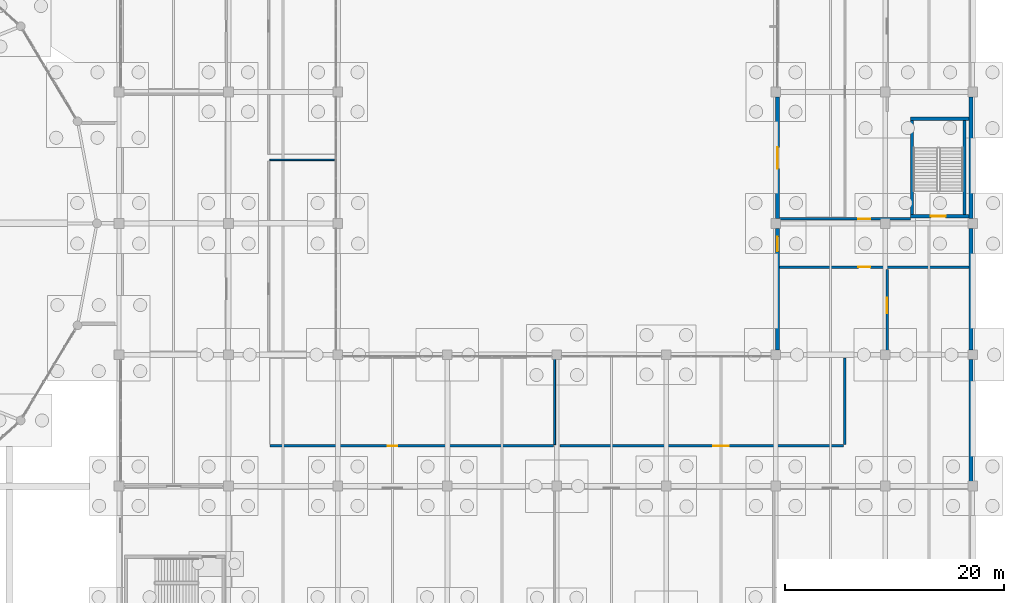
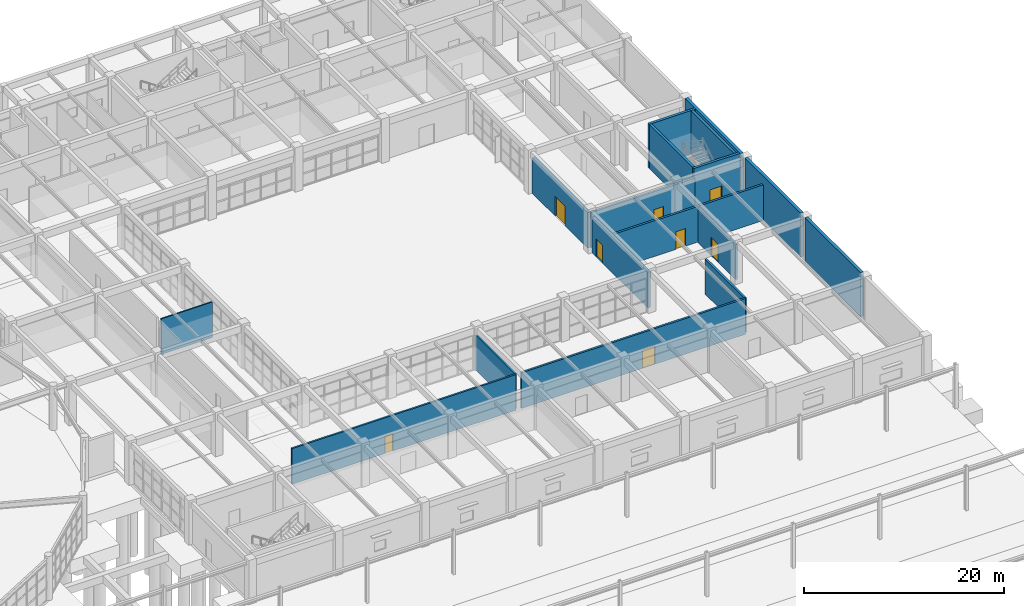
# One storey, part 81 of 99: 17 walls, 8 doors, 8 openings.
"""IFC4 building model written with IfcOpenShell, lengths in metres."""

from ifc_helpers import new_model, si_unit, direction, frame, frame_2d, origin, place, context, subcontext, project, spatial, rectangle, extrude, material, layer, layer_set, type_object, element, fill, save


model = new_model("IFC4")

# Units and contexts
model_context = context("Model", 3, precision=1e-05, world=origin(), true_north=direction((0.0, 1.0)))
body_context = subcontext(model_context, "Body", "Model", "MODEL_VIEW")
ifc_project = project(units=[si_unit("LENGTHUNIT", "METRE"), si_unit("AREAUNIT", "SQUARE_METRE"), si_unit("VOLUMEUNIT", "CUBIC_METRE"), si_unit("PLANEANGLEUNIT", "RADIAN"), si_unit("MASSUNIT", "GRAM", prefix="KILO")], contexts=[model_context])

# Site, building, storey
site_placement = place(None, origin())
site = spatial("IfcSite", under=ifc_project, at=site_placement, CompositionType="ELEMENT")
building_placement = place(site_placement, origin())
building = spatial("IfcBuilding", under=site, at=building_placement, Name="Kivolera Central Railway Station", CompositionType="ELEMENT")
storey_placement = place(building_placement, origin())
storey = spatial("IfcBuildingStorey", under=building, at=storey_placement, Name="L00", CompositionType="ELEMENT", Elevation=0.0)

# Wall, opening, door
ifc_material_1 = material(Name="Concrete C40/50", Category="concrete")
ifc_layer_1 = layer(ifc_material_1, 0.22998046875, Name="Concrete C40/50")
ifc_layer_set_1 = layer_set([ifc_layer_1], Name="Concrete C40/50")
wall_type_1 = type_object("IfcWallType", Name="WL-COMP-230", PredefinedType="PARTITIONING", material=ifc_layer_set_1)
wall_1_placement = place(storey_placement, frame((188.179931640625, 78.300048828125, 0.0), z_axis=(0.0, 0.0, 1.0), x_axis=(0.0, 1.0, 0.0)))
wall_1 = element("IfcWall", 1, at=wall_1_placement, inside=storey, type_object=wall_type_1, Name="L00 Sprinkler and Rainwater Pump Plant Room Corridor Wall", PredefinedType="PARTITIONING", context=body_context, shape_type="SweptSolid", body=[
    extrude(rectangle(XDim=7.5, YDim=0.22998046875, at=frame_2d((3.75, 0.0))), origin(), (0.0, 0.0, 1.0), 4.258056640625),
])
opening_1_placement = place(wall_1_placement, frame((3.5, 0.0, 0.0)))
opening_1 = element("IfcOpeningElement", 2, at=opening_1_placement, cuts=wall_1, Name="Opening D-PLT-1400", PredefinedType="OPENING", context=body_context, shape_type="SweptSolid", body=[
    extrude(rectangle(XDim=1.39990234375, YDim=2.199951171875, at=frame_2d((0.699951171875, 1.10009765625))), frame((0.0, 0.125, 0.0), z_axis=(0.0, -1.0, 0.0), x_axis=(1.0, 0.0, 0.0)), (0.0, 0.0, 1.0), 0.25),
])
ifc_material_2 = material(Name="Anodised aluminium", Category="aluminium")
door_type_1 = type_object("IfcDoorType", Name="DR-D-PLT-1400", OperationType="NOTDEFINED", PredefinedType="DOOR", material=ifc_material_2)
door_1_placement = place(opening_1_placement, origin())
door_1 = element("IfcDoor", 3, at=door_1_placement, inside=storey, type_object=door_type_1, Name="L00 Sprinkler and Rainwater Pump Plant Room Door", OperationType="SINGLE_SWING_RIGHT", OverallHeight=2.199951171875, OverallWidth=1.39990234375, PredefinedType="DOOR", context=body_context, shape_type="SweptSolid", body=[
    extrude(rectangle(XDim=1.39990234375, YDim=2.199951171875, at=frame_2d((0.699951171875, 1.10009765625))), frame((0.0, 0.02490234375, 0.0), z_axis=(0.0, -1.0, 0.0), x_axis=(1.0, 0.0, 0.0)), (0.0, 0.0, 1.0), 0.050048828125),
])
fill(opening_1, door_1)

wall_2_placement = place(storey_placement, frame((158.300048828125, 69.679931640625, 0.0), z_axis=(0.0, 0.0, 1.0), x_axis=(1.0, 0.0, 0.0)))
wall_2 = element("IfcWall", 4, at=wall_2_placement, inside=storey, type_object=wall_type_1, Name="L00 Station Maintenance Store Corridor Wall", PredefinedType="PARTITIONING", context=body_context, shape_type="SweptSolid", body=[
    extrude(rectangle(XDim=25.89990234375, YDim=0.22998046875, at=frame_2d((12.949951171875, 0.0))), origin(), (0.0, 0.0, 1.0), 4.35791015625),
])
opening_2_placement = place(wall_2_placement, frame((14.0, 0.0, 0.0)))
opening_2 = element("IfcOpeningElement", 5, at=opening_2_placement, cuts=wall_2, Name="Opening D-PLT-1400", PredefinedType="OPENING", context=body_context, shape_type="SweptSolid", body=[
    extrude(rectangle(XDim=1.39990234375, YDim=2.199951171875, at=frame_2d((0.699951171875, 1.10009765625))), frame((0.0, 0.125, 0.0), z_axis=(0.0, -1.0, 0.0), x_axis=(1.0, 0.0, 0.0)), (0.0, 0.0, 1.0), 0.25),
])
door_2_placement = place(opening_2_placement, origin())
door_2 = element("IfcDoor", 6, at=door_2_placement, inside=storey, type_object=door_type_1, Name="L00 Station Maintenance Store Door", OperationType="SINGLE_SWING_RIGHT", OverallHeight=2.199951171875, OverallWidth=1.39990234375, PredefinedType="DOOR", context=body_context, shape_type="SweptSolid", body=[
    extrude(rectangle(XDim=1.39990234375, YDim=2.199951171875, at=frame_2d((0.699951171875, 1.10009765625))), frame((0.0, 0.02490234375, 0.0), z_axis=(0.0, -1.0, 0.0), x_axis=(1.0, 0.0, 0.0)), (0.0, 0.0, 1.0), 0.050048828125),
])
fill(opening_2, door_2)

# Wall
wall_3_placement = place(storey_placement, frame((184.300048828125, 69.800048828125, 0.0), z_axis=(0.0, 0.0, 1.0), x_axis=(0.0, 1.0, 0.0)))
element("IfcWall", 7, at=wall_3_placement, inside=storey, type_object=wall_type_1, Name="L00 Station Maintenance Store Partition Wall", PredefinedType="PARTITIONING", context=body_context, shape_type="SweptSolid", body=[
    extrude(rectangle(XDim=7.89990234375, YDim=0.22998046875, at=frame_2d((3.949951171875, 0.0))), origin(), (0.0, 0.0, 1.0), 4.258056640625),
])

# Wall, opening, door
ifc_material_3 = material(Name="Swahili coral limestone", Category="masonry")
ifc_layer_2 = layer(ifc_material_3, 0.199951171875, Name="Swahili coral limestone")
ifc_layer_set_2 = layer_set([ifc_layer_2], Name="Swahili coral limestone")
wall_type_2 = type_object("IfcWallType", Name="WL-COR-200", PredefinedType="PARTITIONING", material=ifc_layer_set_2)
wall_4_placement = place(storey_placement, frame((131.800048828125, 69.679931640625, 0.0), z_axis=(0.0, 0.0, 1.0), x_axis=(1.0, 0.0, 0.0)))
wall_4 = element("IfcWall", 8, at=wall_4_placement, inside=storey, type_object=wall_type_2, Name="L00 Parcel Customer Reception Lounge Corridor Wall", PredefinedType="PARTITIONING", context=body_context, shape_type="SweptSolid", body=[
    extrude(rectangle(XDim=25.89990234375, YDim=0.199951171875, at=frame_2d((12.949951171875, 0.0))), origin(), (0.0, 0.0, 1.0), 4.35791015625),
])
opening_3_placement = place(wall_4_placement, frame((10.75, 0.0, 0.0)))
opening_3 = element("IfcOpeningElement", 9, at=opening_3_placement, cuts=wall_4, Name="Opening D-SG-01", PredefinedType="OPENING", context=body_context, shape_type="SweptSolid", body=[
    extrude(rectangle(XDim=0.89990234375, YDim=2.10009765625, at=frame_2d((0.449951171875, 1.050048828125))), frame((0.0, 0.10986328125, 0.0), z_axis=(0.0, -1.0, 0.0), x_axis=(1.0, 0.0, 0.0)), (0.0, 0.0, 1.0), 0.219970703125),
])
ifc_material_4 = material(Name="Hardwood mvule timber", Category="wood")
door_type_2 = type_object("IfcDoorType", Name="DR-D-SG-01", OperationType="NOTDEFINED", PredefinedType="DOOR", material=ifc_material_4)
door_3_placement = place(opening_3_placement, origin())
door_3 = element("IfcDoor", 10, at=door_3_placement, inside=storey, type_object=door_type_2, Name="L00 Parcel Customer Reception Lounge Door", OperationType="SINGLE_SWING_LEFT", OverallHeight=2.10009765625, OverallWidth=0.89990234375, PredefinedType="DOOR", context=body_context, shape_type="SweptSolid", body=[
    extrude(rectangle(XDim=0.89990234375, YDim=2.10009765625, at=frame_2d((0.449951171875, 1.050048828125))), frame((0.0, 0.02490234375, 0.0), z_axis=(0.0, -1.0, 0.0), x_axis=(1.0, 0.0, 0.0)), (0.0, 0.0, 1.0), 0.050048828125),
])
fill(opening_3, door_3)

# Walls
ifc_layer_3 = layer(ifc_material_1, 0.300048828125, Name="Concrete C40/50")
ifc_layer_set_3 = layer_set([ifc_layer_3], Name="Concrete C40/50")
wall_type_3 = type_object("IfcWallType", Name="WL-CORE-300", PredefinedType="SHEAR", material=ifc_layer_set_3)
for number, where, z_axis, x_axis, name in (
    (11, (190.449951171875, 90.800048828125, 0.0), (0.0, 0.0, 1.0), (0.0, 1.0, 0.0), "L00 ST11 Core Right Shear Wall"),
    (12, (195.25, 99.39990234375, 0.0), (0.0, 0.0, 1.0), (0.0, -1.0, 0.0), "L00 ST11 Core Left Shear Wall"),
):
    element("IfcWall", number, at=place(storey_placement, frame(where, z_axis=z_axis, x_axis=x_axis)), inside=storey, type_object=wall_type_3, Name=name, PredefinedType="SHEAR", context=body_context, shape_type="SweptSolid", body=[
        extrude(rectangle(XDim=8.599853515625, YDim=0.300048828125, at=frame_2d((4.2998046875, 0.0))), origin(), (0.0, 0.0, 1.0), 5.39990234375),
    ])

# Wall, opening, door
wall_5_placement = place(storey_placement, frame((195.64990234375, 90.64990234375, 0.0), z_axis=(0.0, 0.0, 1.0), x_axis=(-1.0, 0.0, 0.0)))
wall_5 = element("IfcWall", 13, at=wall_5_placement, inside=storey, type_object=wall_type_3, Name="L00 ST11 Core Near Shear Wall", PredefinedType="SHEAR", context=body_context, shape_type="SweptSolid", body=[
    extrude(rectangle(XDim=5.349853515625, YDim=0.300048828125, at=frame_2d((2.6748046875, 0.0))), origin(), (0.0, 0.0, 1.0), 5.39990234375),
])
opening_4_placement = place(wall_5_placement, frame((2.125, 0.0, 0.0)))
opening_4 = element("IfcOpeningElement", 14, at=opening_4_placement, cuts=wall_5, Name="Opening D-STAIR-1350", PredefinedType="OPENING", context=body_context, shape_type="SweptSolid", body=[
    extrude(rectangle(XDim=1.35009765625, YDim=2.14990234375, at=frame_2d((0.675048828125, 1.074951171875))), frame((0.0, 0.159912109375, 0.0), z_axis=(0.0, -1.0, 0.0), x_axis=(1.0, 0.0, 0.0)), (0.0, 0.0, 1.0), 0.320068359375),
])
door_type_3 = type_object("IfcDoorType", Name="DR-D-STAIR-1350", OperationType="NOTDEFINED", PredefinedType="DOOR", material=ifc_material_4)
door_4_placement = place(opening_4_placement, origin())
door_4 = element("IfcDoor", 15, at=door_4_placement, inside=storey, type_object=door_type_3, Name="L00 ST11 Concourse/Platform Stair Fire Door", OperationType="SINGLE_SWING_LEFT", OverallHeight=2.14990234375, OverallWidth=1.35009765625, PredefinedType="DOOR", context=body_context, shape_type="SweptSolid", body=[
    extrude(rectangle(XDim=1.35009765625, YDim=2.14990234375, at=frame_2d((0.675048828125, 1.074951171875))), frame((0.0, 0.02490234375, 0.0), z_axis=(0.0, -1.0, 0.0), x_axis=(1.0, 0.0, 0.0)), (0.0, 0.0, 1.0), 0.050048828125),
])
fill(opening_4, door_4)

# Wall
wall_6_placement = place(storey_placement, frame((190.300048828125, 99.550048828125, 0.0), z_axis=(0.0, 0.0, 1.0), x_axis=(1.0, 0.0, 0.0)))
element("IfcWall", 16, at=wall_6_placement, inside=storey, type_object=wall_type_3, Name="L00 ST11 Core Far Shear Wall", PredefinedType="SHEAR", context=body_context, shape_type="SweptSolid", body=[
    extrude(rectangle(XDim=5.349853515625, YDim=0.300048828125, at=frame_2d((2.6748046875, 0.0))), origin(), (0.0, 0.0, 1.0), 5.39990234375),
])

# Wall, opening, door
ifc_layer_4 = layer(ifc_material_3, 0.340087890625, Name="Swahili coral limestone")
ifc_layer_set_4 = layer_set([ifc_layer_4], Name="Swahili coral limestone")
wall_type_4 = type_object("IfcWallType", Name="WL-EXT-PLINTH-340", PredefinedType="SOLIDWALL", material=ifc_layer_set_4)
wall_7_placement = place(storey_placement, frame((178.169921875, 78.445068359375, 0.0), z_axis=(0.0, 0.0, 1.0), x_axis=(0.0, 1.0, 0.0)))
wall_7 = element("IfcWall", 17, at=wall_7_placement, inside=storey, type_object=wall_type_4, Name="L00 Monsoon Court East Stair ST11 Exit Wall", PredefinedType="SOLIDWALL", context=body_context, shape_type="SweptSolid", body=[
    extrude(rectangle(XDim=11.10986328125, YDim=0.340087890625, at=frame_2d((5.554931640625, 0.0))), origin(), (0.0, 0.0, 1.0), 4.35791015625),
])
opening_5_placement = place(wall_7_placement, frame((9.0048828125, 0.0, 0.0)))
opening_5 = element("IfcOpeningElement", 18, at=opening_5_placement, cuts=wall_7, Name="Opening ED-FD60-1350", PredefinedType="OPENING", context=body_context, shape_type="SweptSolid", body=[
    extrude(rectangle(XDim=1.35009765625, YDim=2.199951171875, at=frame_2d((0.675048828125, 1.10009765625))), frame((0.0, 0.179931640625, 0.0), z_axis=(0.0, -1.0, 0.0), x_axis=(1.0, 0.0, 0.0)), (0.0, 0.0, 1.0), 0.360107421875),
])
door_type_4 = type_object("IfcDoorType", Name="DR-ED-FD60-1350", OperationType="NOTDEFINED", PredefinedType="DOOR", material=ifc_material_2)
door_5_placement = place(opening_5_placement, origin())
door_5 = element("IfcDoor", 19, at=door_5_placement, inside=storey, type_object=door_type_4, Name="Stair ST11 Protected Court Exit Door ED-34", OperationType="SINGLE_SWING_RIGHT", OverallHeight=2.199951171875, OverallWidth=1.35009765625, PredefinedType="DOOR", context=body_context, shape_type="SweptSolid", body=[
    extrude(rectangle(XDim=1.35009765625, YDim=2.199951171875, at=frame_2d((0.675048828125, 1.10009765625))), frame((0.0, 0.02490234375, 0.0), z_axis=(0.0, -1.0, 0.0), x_axis=(1.0, 0.0, 0.0)), (0.0, 0.0, 1.0), 0.050048828125),
])
fill(opening_5, door_5)

wall_8_placement = place(storey_placement, frame((178.169921875, 90.445068359375, 0.0), z_axis=(0.0, 0.0, 1.0), x_axis=(0.0, 1.0, 0.0)))
wall_8 = element("IfcWall", 20, at=wall_8_placement, inside=storey, type_object=wall_type_4, Name="L00 Monsoon Court East Shopfront Wall", PredefinedType="SOLIDWALL", context=body_context, shape_type="SweptSolid", body=[
    extrude(rectangle(XDim=11.10986328125, YDim=0.340087890625, at=frame_2d((5.554931640625, 0.0))), origin(), (0.0, 0.0, 1.0), 4.35791015625),
])
opening_6_placement = place(wall_8_placement, frame((4.554931640625, 0.0, 0.0)))
opening_6 = element("IfcOpeningElement", 21, at=opening_6_placement, cuts=wall_8, Name="Opening ED-1950", PredefinedType="OPENING", context=body_context, shape_type="SweptSolid", body=[
    extrude(rectangle(XDim=1.949951171875, YDim=2.39990234375, at=frame_2d((0.97509765625, 1.199951171875))), frame((0.0, 0.179931640625, 0.0), z_axis=(0.0, -1.0, 0.0), x_axis=(1.0, 0.0, 0.0)), (0.0, 0.0, 1.0), 0.360107421875),
])
door_type_5 = type_object("IfcDoorType", Name="DR-ED-1950", OperationType="NOTDEFINED", PredefinedType="DOOR", material=ifc_material_2)
door_6_placement = place(opening_6_placement, origin())
door_6 = element("IfcDoor", 22, at=door_6_placement, inside=storey, type_object=door_type_5, Name="Monsoon Court East Shop Door ED-35", OperationType="DOUBLE_DOOR_SINGLE_SWING", OverallHeight=2.39990234375, OverallWidth=1.949951171875, PredefinedType="DOOR", context=body_context, shape_type="SweptSolid", body=[
    extrude(rectangle(XDim=1.949951171875, YDim=2.39990234375, at=frame_2d((0.97509765625, 1.199951171875))), frame((0.0, 0.02490234375, 0.0), z_axis=(0.0, -1.0, 0.0), x_axis=(1.0, 0.0, 0.0)), (0.0, 0.0, 1.0), 0.050048828125),
])
fill(opening_6, door_6)

ifc_layer_5 = layer(ifc_material_1, 0.25, Name="Concrete C40/50")
ifc_layer_set_5 = layer_set([ifc_layer_5], Name="Concrete C40/50")
wall_type_5 = type_object("IfcWallType", Name="WL-FFL-250", PredefinedType="PARTITIONING", material=ifc_layer_set_5)
wall_9_placement = place(storey_placement, frame((178.340087890625, 90.419921875, 0.0), z_axis=(0.0, 0.0, 1.0), x_axis=(1.0, 0.0, 0.0)))
wall_9 = element("IfcWall", 23, at=wall_9_placement, inside=storey, type_object=wall_type_5, Name="L00 ST11 Protected Exit Passage North Wall", PredefinedType="PARTITIONING", context=body_context, shape_type="SweptSolid", body=[
    extrude(rectangle(XDim=11.9599609375, YDim=0.25, at=frame_2d((5.97998046875, 0.0))), origin(), (0.0, 0.0, 1.0), 4.35791015625),
])
opening_7_placement = place(wall_9_placement, frame((7.2099609375, 0.0, 0.0)))
opening_7 = element("IfcOpeningElement", 24, at=opening_7_placement, cuts=wall_9, Name="Opening D-FFL-1100", PredefinedType="OPENING", context=body_context, shape_type="SweptSolid", body=[
    extrude(rectangle(XDim=1.10009765625, YDim=2.14990234375, at=frame_2d((0.550048828125, 1.074951171875))), frame((0.0, 0.135009765625, 0.0), z_axis=(0.0, -1.0, 0.0), x_axis=(1.0, 0.0, 0.0)), (0.0, 0.0, 1.0), 0.27001953125),
])
door_type_6 = type_object("IfcDoorType", Name="DR-D-FFL-1100", OperationType="NOTDEFINED", PredefinedType="DOOR", material=ifc_material_4)
door_7_placement = place(opening_7_placement, origin())
door_7 = element("IfcDoor", 25, at=door_7_placement, inside=storey, type_object=door_type_6, Name="L00 ST11 Exit Passage North Corridor Fire Door", OperationType="SINGLE_SWING_LEFT", OverallHeight=2.14990234375, OverallWidth=1.10009765625, PredefinedType="DOOR", context=body_context, shape_type="SweptSolid", body=[
    extrude(rectangle(XDim=1.10009765625, YDim=2.14990234375, at=frame_2d((0.550048828125, 1.074951171875))), frame((0.0, 0.02490234375, 0.0), z_axis=(0.0, -1.0, 0.0), x_axis=(1.0, 0.0, 0.0)), (0.0, 0.0, 1.0), 0.050048828125),
])
fill(opening_7, door_7)

wall_10_placement = place(storey_placement, frame((178.340087890625, 86.0, 0.0), z_axis=(0.0, 0.0, 1.0), x_axis=(1.0, 0.0, 0.0)))
wall_10 = element("IfcWall", 26, at=wall_10_placement, inside=storey, type_object=wall_type_5, Name="L00 ST11 Protected Exit Passage South Wall", PredefinedType="PARTITIONING", context=body_context, shape_type="SweptSolid", body=[
    extrude(rectangle(XDim=17.309814453125, YDim=0.25, at=frame_2d((8.65478515625, 0.0))), origin(), (0.0, 0.0, 1.0), 4.35791015625),
])
opening_8_placement = place(wall_10_placement, frame((7.2099609375, 0.0, 0.0)))
opening_8 = element("IfcOpeningElement", 27, at=opening_8_placement, cuts=wall_10, Name="Opening D-FFL-1100", PredefinedType="OPENING", context=body_context, shape_type="SweptSolid", body=[
    extrude(rectangle(XDim=1.10009765625, YDim=2.14990234375, at=frame_2d((0.550048828125, 1.074951171875))), frame((0.0, 0.135009765625, 0.0), z_axis=(0.0, -1.0, 0.0), x_axis=(1.0, 0.0, 0.0)), (0.0, 0.0, 1.0), 0.27001953125),
])
door_8_placement = place(opening_8_placement, origin())
door_8 = element("IfcDoor", 28, at=door_8_placement, inside=storey, type_object=door_type_6, Name="L00 ST11 Exit Passage South Corridor Fire Door", OperationType="SINGLE_SWING_RIGHT", OverallHeight=2.14990234375, OverallWidth=1.10009765625, PredefinedType="DOOR", context=body_context, shape_type="SweptSolid", body=[
    extrude(rectangle(XDim=1.10009765625, YDim=2.14990234375, at=frame_2d((0.550048828125, 1.074951171875))), frame((0.0, 0.02490234375, 0.0), z_axis=(0.0, -1.0, 0.0), x_axis=(1.0, 0.0, 0.0)), (0.0, 0.0, 1.0), 0.050048828125),
])
fill(opening_8, door_8)

# Walls
ifc_layer_6 = layer(ifc_material_1, 0.35009765625, Name="Concrete C40/50")
ifc_layer_set_6 = layer_set([ifc_layer_6], Name="Concrete C40/50")
wall_type_6 = type_object("IfcWallType", Name="WL-PARTY-350", PredefinedType="SOLIDWALL", material=ifc_layer_set_6)
for number, where, z_axis, x_axis, name in (
    (29, (195.824951171875, 77.554931640625, 0.0), (0.0, 0.0, 1.0), (0.0, -1.0, 0.0), "L00 East Infill EI 120 Party Wall 66-78"),
    (30, (195.824951171875, 89.554931640625, 0.0), (0.0, 0.0, 1.0), (0.0, -1.0, 0.0), "L00 East Infill EI 120 Party Wall 78-90"),
    (31, (195.824951171875, 101.554931640625, 0.0), (0.0, 0.0, 1.0), (0.0, -1.0, 0.0), "L00 East Infill EI 120 Party Wall 90-102"),
):
    element("IfcWall", number, at=place(storey_placement, frame(where, z_axis=z_axis, x_axis=x_axis)), inside=storey, type_object=wall_type_6, Name=name, PredefinedType="SOLIDWALL", context=body_context, shape_type="SweptSolid", body=[
        extrude(rectangle(XDim=11.10986328125, YDim=0.35009765625, at=frame_2d((5.554931640625, 0.0))), origin(), (0.0, 0.0, 1.0), 5.39990234375),
    ])
ifc_material_5 = material(Name="Gypsum plasterboard steel-stud partition")
ifc_layer_7 = layer(ifc_material_5, 0.14990234375, Name="Gypsum plasterboard steel-stud partition")
ifc_layer_set_7 = layer_set([ifc_layer_7], Name="Gypsum plasterboard steel-stud partition")
wall_type_7 = type_object("IfcWallType", Name="WL-PRT-150", PredefinedType="PARTITIONING", material=ifc_layer_set_7)
wall_11_placement = place(storey_placement, frame((131.800048828125, 95.800048828125, 0.0), z_axis=(0.0, 0.0, 1.0), x_axis=(1.0, 0.0, 0.0)))
element("IfcWall", 32, at=wall_11_placement, inside=storey, type_object=wall_type_7, Name="L00 Arcade Bakery Retail Shop Partition Wall", PredefinedType="PARTITIONING", context=body_context, shape_type="SweptSolid", body=[
    extrude(rectangle(XDim=5.89990234375, YDim=0.14990234375, at=frame_2d((2.949951171875, 0.0))), origin(), (0.0, 0.0, 1.0), 4.35791015625),
])
ifc_layer_8 = layer(ifc_material_5, 0.179931640625, Name="Gypsum plasterboard steel-stud partition")
ifc_layer_set_8 = layer_set([ifc_layer_8], Name="Gypsum plasterboard steel-stud partition")
wall_type_8 = type_object("IfcWallType", Name="WL-PRT-180", PredefinedType="PARTITIONING", material=ifc_layer_set_8)
wall_12_placement = place(storey_placement, frame((157.800048828125, 69.800048828125, 0.0), z_axis=(0.0, 0.0, 1.0), x_axis=(0.0, 1.0, 0.0)))
element("IfcWall", 33, at=wall_12_placement, inside=storey, type_object=wall_type_8, Name="L00 Parcel Customer Reception Lounge Partition Wall", PredefinedType="PARTITIONING", context=body_context, shape_type="SweptSolid", body=[
    extrude(rectangle(XDim=7.89990234375, YDim=0.179931640625, at=frame_2d((3.949951171875, 0.0))), origin(), (0.0, 0.0, 1.0), 4.258056640625),
])

save(model, "model.ifc")
